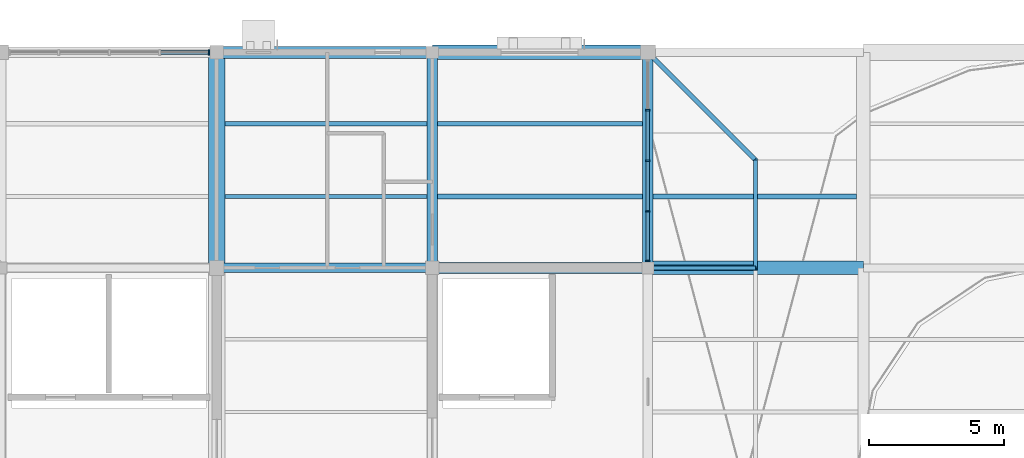
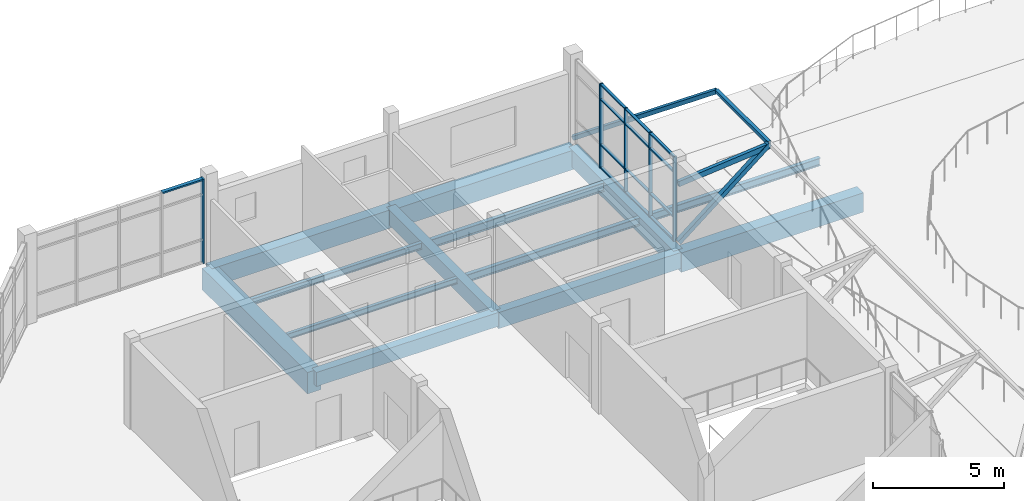
# One storey, part 17 of 44: 21 members, 14 beams, 2 elements without a shape of their own.
"""IFC4 building model written with IfcOpenShell, lengths in metres."""

from ifc_helpers import new_model, si_unit, direction, frame, origin, origin_2d, place, context, subcontext, project, spatial, rectangle, hollow_rectangle, i_section, extrude, material, material_profile, profile_set, type_object, element, aggregate, save


model = new_model("IFC4")

# Units and contexts
model_context = context("Model", 3, precision=1e-05, world=origin(), true_north=direction((0.0, 1.0)))
body_context = subcontext(model_context, "Body", "Model", "MODEL_VIEW")
ifc_project = project(units=[si_unit("LENGTHUNIT", "METRE"), si_unit("AREAUNIT", "SQUARE_METRE"), si_unit("VOLUMEUNIT", "CUBIC_METRE"), si_unit("PLANEANGLEUNIT", "RADIAN"), si_unit("MASSUNIT", "GRAM", prefix="KILO")], contexts=[model_context])

# Site, building, storey
site_placement = place(None, origin())
site = spatial("IfcSite", under=ifc_project, at=site_placement, CompositionType="ELEMENT")
building_placement = place(site_placement, origin())
building = spatial("IfcBuilding", under=site, at=building_placement, Name="Tenunan Teduh Sports Hall", CompositionType="ELEMENT")
storey_placement = place(building_placement, frame((0.0, 0.0, 19.199951171875)))
storey = spatial("IfcBuildingStorey", under=building, at=storey_placement, Name="L04", CompositionType="ELEMENT", Elevation=19.199951171875)

# Beams
ifc_material_1 = material(Name="Concrete C40/50", Category="concrete")
ifc_material_profile_1 = material_profile(ifc_material_1, rectangle(XDim=0.35009765625, YDim=0.64990234375, at=origin_2d()), Name="RCB 350x650")
ifc_profile_set_1 = profile_set([ifc_material_profile_1], Name="Concrete C40/50")
beam_type_1 = type_object("IfcBeamType", Name="BM-RC-350x650", PredefinedType="BEAM", material=ifc_profile_set_1)
beam_1_placement = place(storey_placement, frame((22.0, 110.0, -0.594970703125), z_axis=(1.0, 0.0, 0.0), x_axis=(0.0, 1.0, 0.0)))
element("IfcBeam", 1, at=beam_1_placement, inside=storey, type_object=beam_type_1, Name="BM-B-05-L04-2052", PredefinedType="BEAM", context=body_context, shape_type="SweptSolid", body=[
    extrude(rectangle(XDim=0.35009765625, YDim=0.64990234375, at=origin_2d()), origin(), (0.0, 0.0, 1.0), 8.0),
])
ifc_material_2 = material(Name="Concrete C40/50", Category="concrete")
ifc_material_profile_2 = material_profile(ifc_material_2, rectangle(XDim=0.39990234375, YDim=0.699951171875, at=origin_2d()), Name="RCB 400x700")
ifc_profile_set_2 = profile_set([ifc_material_profile_2], Name="Concrete C40/50")
beam_type_2 = type_object("IfcBeamType", Name="BM-RC-400x700", PredefinedType="BEAM", material=ifc_profile_set_2)
beam_2_placement = place(storey_placement, frame((30.0, 110.0, -0.619873046875), z_axis=(0.0, 1.0, 0.0), x_axis=(-1.0, 0.0, 0.0)))
element("IfcBeam", 2, at=beam_2_placement, inside=storey, type_object=beam_type_2, Name="BM-B-08-L04-2086", PredefinedType="BEAM", context=body_context, shape_type="SweptSolid", body=[
    extrude(rectangle(XDim=0.39990234375, YDim=0.699951171875, at=origin_2d()), origin(), (0.0, 0.0, 1.0), 8.0),
])
ifc_material_3 = material(Name="Concrete C40/50", Category="concrete")
ifc_material_profile_3 = material_profile(ifc_material_3, rectangle(XDim=0.39990234375, YDim=0.75, at=origin_2d()), Name="RCB 400x750")
ifc_profile_set_3 = profile_set([ifc_material_profile_3], Name="Concrete C40/50")
beam_type_3 = type_object("IfcBeamType", Name="BM-RC-400x750", PredefinedType="BEAM", material=ifc_profile_set_3)
beam_3_placement = place(storey_placement, frame((30.0, 110.0, -0.64501953125), z_axis=(1.0, 0.0, 0.0), x_axis=(0.0, 1.0, 0.0)))
element("IfcBeam", 3, at=beam_3_placement, inside=storey, type_object=beam_type_3, Name="BM-B-09-L04-2053", PredefinedType="BEAM", context=body_context, shape_type="SweptSolid", body=[
    extrude(rectangle(XDim=0.39990234375, YDim=0.75, at=origin_2d()), origin(), (0.0, 0.0, 1.0), 8.0),
])
ifc_material_4 = material(Name="Concrete C40/50", Category="concrete")
ifc_material_profile_4 = material_profile(ifc_material_4, rectangle(XDim=0.449951171875, YDim=0.85009765625, at=origin_2d()), Name="RCB 450x850")
ifc_profile_set_4 = profile_set([ifc_material_profile_4], Name="Concrete C40/50")
beam_type_4 = type_object("IfcBeamType", Name="BM-RC-450x850", PredefinedType="BEAM", material=ifc_profile_set_4)
beam_4_placement = place(storey_placement, frame((22.0, 118.0, -0.695068359375), z_axis=(1.0, 0.0, 0.0), x_axis=(0.0, 1.0, 0.0)))
element("IfcBeam", 4, at=beam_4_placement, inside=storey, type_object=beam_type_4, Name="BM-B-13-L04-2059", PredefinedType="BEAM", context=body_context, shape_type="SweptSolid", body=[
    extrude(rectangle(XDim=0.449951171875, YDim=0.85009765625, at=origin_2d()), origin(), (0.0, 0.0, 1.0), 8.0),
])
ifc_material_5 = material(Name="Concrete C40/50", Category="concrete")
ifc_material_profile_5 = material_profile(ifc_material_5, rectangle(XDim=0.5, YDim=0.89990234375, at=origin_2d()), Name="RCB 500x900")
ifc_profile_set_5 = profile_set([ifc_material_profile_5], Name="Concrete C40/50")
beam_type_5 = type_object("IfcBeamType", Name="BM-RC-500x900", PredefinedType="BEAM", material=ifc_profile_set_5)
beam_5_placement = place(storey_placement, frame((38.0, 110.0, -0.719970703125), z_axis=(1.0, 0.0, 0.0), x_axis=(0.0, 1.0, 0.0)))
element("IfcBeam", 5, at=beam_5_placement, inside=storey, type_object=beam_type_5, Name="BM-B-15-L04-2054", PredefinedType="BEAM", context=body_context, shape_type="SweptSolid", body=[
    extrude(rectangle(XDim=0.5, YDim=0.89990234375, at=origin_2d()), origin(), (0.0, 0.0, 1.0), 8.0),
])
ifc_material_6 = material(Name="Concrete C40/50", Category="concrete")
ifc_material_profile_6 = material_profile(ifc_material_6, rectangle(XDim=0.550048828125, YDim=0.89990234375, at=origin_2d()), Name="RCB 550x900")
ifc_profile_set_6 = profile_set([ifc_material_profile_6], Name="Concrete C40/50")
beam_type_6 = type_object("IfcBeamType", Name="BM-RC-550x900", PredefinedType="BEAM", material=ifc_profile_set_6)
beam_6_placement = place(storey_placement, frame((30.0, 118.0, -0.719970703125), z_axis=(1.0, 0.0, 0.0), x_axis=(0.0, 1.0, 0.0)))
element("IfcBeam", 6, at=beam_6_placement, inside=storey, type_object=beam_type_6, Name="BM-B-16-L04-2060", PredefinedType="BEAM", context=body_context, shape_type="SweptSolid", body=[
    extrude(rectangle(XDim=0.550048828125, YDim=0.89990234375, at=origin_2d()), origin(), (0.0, 0.0, 1.0), 8.0),
])
ifc_material_7 = material(Name="Concrete C40/50", Category="concrete")
ifc_material_profile_7 = material_profile(ifc_material_7, rectangle(XDim=0.60009765625, YDim=1.0, at=origin_2d()), Name="RCB 600x1000")
ifc_profile_set_7 = profile_set([ifc_material_profile_7], Name="Concrete C40/50")
beam_type_7 = type_object("IfcBeamType", Name="BM-RC-600x1000", PredefinedType="BEAM", material=ifc_profile_set_7)
beam_7_placement = place(storey_placement, frame((22.0, 110.0, -0.77001953125), z_axis=(0.0, 1.0, 0.0), x_axis=(-1.0, 0.0, 0.0)))
element("IfcBeam", 7, at=beam_7_placement, inside=storey, type_object=beam_type_7, Name="BM-B-18-L04-2081", PredefinedType="BEAM", context=body_context, shape_type="SweptSolid", body=[
    extrude(rectangle(XDim=0.60009765625, YDim=1.0, at=origin_2d()), origin(), (0.0, 0.0, 1.0), 8.0),
])
ifc_material_8 = material(Name="Concrete C40/50", Category="concrete")
ifc_material_profile_8 = material_profile(ifc_material_8, rectangle(XDim=0.39990234375, YDim=0.780029296875, at=origin_2d()), Name="TB 400x780")
ifc_profile_set_8 = profile_set([ifc_material_profile_8], Name="Concrete C40/50")
beam_type_8 = type_object("IfcBeamType", Name="BM-TB-400x780", PredefinedType="T_BEAM", material=ifc_profile_set_8)
beam_8_placement = place(storey_placement, frame((38.0, 110.0, -0.659912109375), z_axis=(0.0, 1.0, 0.0), x_axis=(-1.0, 0.0, 0.0)))
element("IfcBeam", 8, at=beam_8_placement, inside=storey, type_object=beam_type_8, Name="BM-TB-02-L04-2091", PredefinedType="T_BEAM", context=body_context, shape_type="SweptSolid", body=[
    extrude(rectangle(XDim=0.39990234375, YDim=0.780029296875, at=origin_2d()), origin(), (0.0, 0.0, 1.0), 8.0),
])

# Curtain wall, members
ifc_material_9 = material(Name="Anodised aluminium", Category="aluminium")
curtain_wall_type = type_object("IfcCurtainWallType", Name="CW-UNIT-2", PredefinedType="NOTDEFINED", material=ifc_material_9)
curtain_wall_1_placement = place(storey_placement, origin())
curtain_wall_1 = element("IfcCurtainWall", 9, at=curtain_wall_1_placement, inside=storey, type_object=curtain_wall_type, Name="CW-CWM-150-L04-231", PredefinedType="NOTDEFINED")
ifc_material_10 = material(Name="Anodised aluminium", Category="aluminium")
ifc_material_profile_9 = material_profile(ifc_material_10, rectangle(XDim=0.06005859375, YDim=0.14990234375, at=origin_2d()), Name="CWM 60x150")
ifc_profile_set_9 = profile_set([ifc_material_profile_9], Name="Anodised aluminium")
member_type_1 = type_object("IfcMemberType", Name="CWM-150", PredefinedType="MULLION", material=ifc_profile_set_9)
member_1_placement = place(storey_placement, frame((38.0, 110.2548828125, 0.0), z_axis=(0.0, 0.0, 1.0), x_axis=(0.0, 1.0, 0.0)))
member_1 = element("IfcMember", 10, at=member_1_placement, type_object=member_type_1, Name="CW-02 mullion 1", PredefinedType="MULLION", context=body_context, shape_type="SweptSolid", body=[
    extrude(rectangle(XDim=0.06005859375, YDim=0.14990234375, at=origin_2d()), origin(), (0.0, 0.0, 1.0), 3.920166015625),
])
member_2_placement = place(storey_placement, frame((38.0, 112.10009765625, 0.0), z_axis=(0.0, 0.0, 1.0), x_axis=(0.0, 1.0, 0.0)))
member_2 = element("IfcMember", 11, at=member_2_placement, type_object=member_type_1, Name="CW-02 mullion 2", PredefinedType="MULLION", context=body_context, shape_type="SweptSolid", body=[
    extrude(rectangle(XDim=0.06005859375, YDim=0.14990234375, at=origin_2d()), origin(), (0.0, 0.0, 1.0), 3.920166015625),
])
member_3_placement = place(storey_placement, frame((38.0, 113.97509765625, 0.0), z_axis=(0.0, 0.0, 1.0), x_axis=(0.0, 1.0, 0.0)))
member_3 = element("IfcMember", 12, at=member_3_placement, type_object=member_type_1, Name="CW-02 mullion 3", PredefinedType="MULLION", context=body_context, shape_type="SweptSolid", body=[
    extrude(rectangle(XDim=0.06005859375, YDim=0.14990234375, at=origin_2d()), origin(), (0.0, 0.0, 1.0), 3.920166015625),
])
member_4_placement = place(storey_placement, frame((38.0, 115.85009765625, 0.0), z_axis=(0.0, 0.0, 1.0), x_axis=(0.0, 1.0, 0.0)))
member_4 = element("IfcMember", 13, at=member_4_placement, type_object=member_type_1, Name="CW-02 mullion 4", PredefinedType="MULLION", context=body_context, shape_type="SweptSolid", body=[
    extrude(rectangle(XDim=0.06005859375, YDim=0.14990234375, at=origin_2d()), origin(), (0.0, 0.0, 1.0), 3.920166015625),
])

# Curtain wall, member
curtain_wall_2_placement = place(storey_placement, origin())
curtain_wall_2 = element("IfcCurtainWall", 14, at=curtain_wall_2_placement, inside=storey, type_object=curtain_wall_type, Name="CW-CWM-200-L04-232", PredefinedType="NOTDEFINED")
ifc_material_11 = material(Name="Anodised aluminium", Category="aluminium")
ifc_material_profile_10 = material_profile(ifc_material_11, rectangle(XDim=0.070068359375, YDim=0.199951171875, at=origin_2d()), Name="CWM 70x200")
ifc_profile_set_10 = profile_set([ifc_material_profile_10], Name="Anodised aluminium")
member_type_2 = type_object("IfcMemberType", Name="CWM-200", PredefinedType="MULLION", material=ifc_profile_set_10)
member_5_placement = place(storey_placement, frame((21.715087890625, 118.0, 0.0), z_axis=(0.0, 0.0, 1.0), x_axis=(1.0, 0.0, 0.0)))
member_5 = element("IfcMember", 15, at=member_5_placement, type_object=member_type_2, Name="CW-02 mullion 5", PredefinedType="MULLION", context=body_context, shape_type="SweptSolid", body=[
    extrude(rectangle(XDim=0.070068359375, YDim=0.199951171875, at=origin_2d()), origin(), (0.0, 0.0, 1.0), 3.920166015625),
])

# Member
ifc_material_12 = material(Name="Anodised aluminium", Category="aluminium")
ifc_material_profile_11 = material_profile(ifc_material_12, rectangle(XDim=0.06005859375, YDim=0.1201171875, at=origin_2d()), Name="CWT 60x120")
ifc_profile_set_11 = profile_set([ifc_material_profile_11], Name="Anodised aluminium")
member_type_3 = type_object("IfcMemberType", Name="CWT-125", PredefinedType="USERDEFINED", material=ifc_profile_set_11)
member_6_placement = place(storey_placement, frame((38.0, 110.284912109375, 0.030029296875), z_axis=(0.0, 1.0, 0.0), x_axis=(0.0, 0.0, 1.0)))
member_6 = element("IfcMember", 16, at=member_6_placement, type_object=member_type_3, Name="CW-02 transom 1.1", ObjectType="TRANSOM", PredefinedType="USERDEFINED", context=body_context, shape_type="SweptSolid", body=[
    extrude(rectangle(XDim=0.06005859375, YDim=0.1201171875, at=origin_2d()), origin(), (0.0, 0.0, 1.0), 1.78515625),
])

member_7_placement = place(storey_placement, frame((38.0, 110.284912109375, 1.10009765625), z_axis=(0.0, 1.0, 0.0), x_axis=(0.0, 0.0, 1.0)))
member_7 = element("IfcMember", 17, at=member_7_placement, type_object=member_type_3, Name="CW-02 transom 1.2", ObjectType="TRANSOM", PredefinedType="USERDEFINED", context=body_context, shape_type="SweptSolid", body=[
    extrude(rectangle(XDim=0.06005859375, YDim=0.1201171875, at=origin_2d()), origin(), (0.0, 0.0, 1.0), 1.78515625),
])

member_8_placement = place(storey_placement, frame((38.0, 110.284912109375, 3.199951171875), z_axis=(0.0, 1.0, 0.0), x_axis=(0.0, 0.0, 1.0)))
member_8 = element("IfcMember", 18, at=member_8_placement, type_object=member_type_3, Name="CW-02 transom 1.3", ObjectType="TRANSOM", PredefinedType="USERDEFINED", context=body_context, shape_type="SweptSolid", body=[
    extrude(rectangle(XDim=0.06005859375, YDim=0.1201171875, at=origin_2d()), origin(), (0.0, 0.0, 1.0), 1.78515625),
])

member_9_placement = place(storey_placement, frame((38.0, 110.284912109375, 3.89013671875), z_axis=(0.0, 1.0, 0.0), x_axis=(0.0, 0.0, 1.0)))
member_9 = element("IfcMember", 19, at=member_9_placement, type_object=member_type_3, Name="CW-02 transom 1.4", ObjectType="TRANSOM", PredefinedType="USERDEFINED", context=body_context, shape_type="SweptSolid", body=[
    extrude(rectangle(XDim=0.06005859375, YDim=0.1201171875, at=origin_2d()), origin(), (0.0, 0.0, 1.0), 1.78515625),
])

member_10_placement = place(storey_placement, frame((38.0, 112.1298828125, 0.030029296875), z_axis=(0.0, 1.0, 0.0), x_axis=(0.0, 0.0, 1.0)))
member_10 = element("IfcMember", 20, at=member_10_placement, type_object=member_type_3, Name="CW-02 transom 2.1", ObjectType="TRANSOM", PredefinedType="USERDEFINED", context=body_context, shape_type="SweptSolid", body=[
    extrude(rectangle(XDim=0.06005859375, YDim=0.1201171875, at=origin_2d()), origin(), (0.0, 0.0, 1.0), 1.815185546875),
])

member_11_placement = place(storey_placement, frame((38.0, 112.1298828125, 1.10009765625), z_axis=(0.0, 1.0, 0.0), x_axis=(0.0, 0.0, 1.0)))
member_11 = element("IfcMember", 21, at=member_11_placement, type_object=member_type_3, Name="CW-02 transom 2.2", ObjectType="TRANSOM", PredefinedType="USERDEFINED", context=body_context, shape_type="SweptSolid", body=[
    extrude(rectangle(XDim=0.06005859375, YDim=0.1201171875, at=origin_2d()), origin(), (0.0, 0.0, 1.0), 1.815185546875),
])

member_12_placement = place(storey_placement, frame((38.0, 112.1298828125, 3.199951171875), z_axis=(0.0, 1.0, 0.0), x_axis=(0.0, 0.0, 1.0)))
member_12 = element("IfcMember", 22, at=member_12_placement, type_object=member_type_3, Name="CW-02 transom 2.3", ObjectType="TRANSOM", PredefinedType="USERDEFINED", context=body_context, shape_type="SweptSolid", body=[
    extrude(rectangle(XDim=0.06005859375, YDim=0.1201171875, at=origin_2d()), origin(), (0.0, 0.0, 1.0), 1.815185546875),
])

member_13_placement = place(storey_placement, frame((38.0, 112.1298828125, 3.89013671875), z_axis=(0.0, 1.0, 0.0), x_axis=(0.0, 0.0, 1.0)))
member_13 = element("IfcMember", 23, at=member_13_placement, type_object=member_type_3, Name="CW-02 transom 2.4", ObjectType="TRANSOM", PredefinedType="USERDEFINED", context=body_context, shape_type="SweptSolid", body=[
    extrude(rectangle(XDim=0.06005859375, YDim=0.1201171875, at=origin_2d()), origin(), (0.0, 0.0, 1.0), 1.815185546875),
])

member_14_placement = place(storey_placement, frame((38.0, 114.0048828125, 0.030029296875), z_axis=(0.0, 1.0, 0.0), x_axis=(0.0, 0.0, 1.0)))
member_14 = element("IfcMember", 24, at=member_14_placement, type_object=member_type_3, Name="CW-02 transom 3.1", ObjectType="TRANSOM", PredefinedType="USERDEFINED", context=body_context, shape_type="SweptSolid", body=[
    extrude(rectangle(XDim=0.06005859375, YDim=0.1201171875, at=origin_2d()), origin(), (0.0, 0.0, 1.0), 1.815185546875),
])

member_15_placement = place(storey_placement, frame((38.0, 114.0048828125, 1.10009765625), z_axis=(0.0, 1.0, 0.0), x_axis=(0.0, 0.0, 1.0)))
member_15 = element("IfcMember", 25, at=member_15_placement, type_object=member_type_3, Name="CW-02 transom 3.2", ObjectType="TRANSOM", PredefinedType="USERDEFINED", context=body_context, shape_type="SweptSolid", body=[
    extrude(rectangle(XDim=0.06005859375, YDim=0.1201171875, at=origin_2d()), origin(), (0.0, 0.0, 1.0), 1.815185546875),
])

member_16_placement = place(storey_placement, frame((38.0, 114.0048828125, 3.199951171875), z_axis=(0.0, 1.0, 0.0), x_axis=(0.0, 0.0, 1.0)))
member_16 = element("IfcMember", 26, at=member_16_placement, type_object=member_type_3, Name="CW-02 transom 3.3", ObjectType="TRANSOM", PredefinedType="USERDEFINED", context=body_context, shape_type="SweptSolid", body=[
    extrude(rectangle(XDim=0.06005859375, YDim=0.1201171875, at=origin_2d()), origin(), (0.0, 0.0, 1.0), 1.815185546875),
])

member_17_placement = place(storey_placement, frame((38.0, 114.0048828125, 3.89013671875), z_axis=(0.0, 1.0, 0.0), x_axis=(0.0, 0.0, 1.0)))
member_17 = element("IfcMember", 27, at=member_17_placement, type_object=member_type_3, Name="CW-02 transom 3.4", ObjectType="TRANSOM", PredefinedType="USERDEFINED", context=body_context, shape_type="SweptSolid", body=[
    extrude(rectangle(XDim=0.06005859375, YDim=0.1201171875, at=origin_2d()), origin(), (0.0, 0.0, 1.0), 1.815185546875),
])

aggregate(curtain_wall_1, [member_1, member_2, member_3, member_4, member_6, member_7, member_8, member_9, member_10, member_11, member_12, member_13, member_14, member_15, member_16, member_17])

ifc_material_13 = material(Name="Anodised aluminium", Category="aluminium")
ifc_material_profile_12 = material_profile(ifc_material_13, rectangle(XDim=0.070068359375, YDim=0.159912109375, at=origin_2d()), Name="CWT 70x160")
ifc_profile_set_12 = profile_set([ifc_material_profile_12], Name="Anodised aluminium")
member_type_4 = type_object("IfcMemberType", Name="CWT-200", PredefinedType="USERDEFINED", material=ifc_profile_set_12)
member_18_placement = place(storey_placement, frame((19.916259765625, 118.0, 3.885009765625), z_axis=(1.0, 0.0, 0.0), x_axis=(0.0, 0.0, 1.0)))
member_18 = element("IfcMember", 28, at=member_18_placement, type_object=member_type_4, Name="CW-02 transom 4.4", ObjectType="TRANSOM", PredefinedType="USERDEFINED", context=body_context, shape_type="SweptSolid", body=[
    extrude(rectangle(XDim=0.070068359375, YDim=0.159912109375, at=origin_2d()), origin(), (0.0, 0.0, 1.0), 1.763671875),
])

aggregate(curtain_wall_2, [member_5, member_18])

# Beams
ifc_material_14 = material(Name="Steel S355", Category="steel")
ifc_material_profile_13 = material_profile(ifc_material_14, i_section(OverallWidth=0.135009765625, OverallDepth=0.27001953125, WebThickness=0.006591796875, FlangeThickness=0.01025390625, FilletRadius=0.014892578125, at=origin_2d()), Name="IPE 270")
ifc_profile_set_13 = profile_set([ifc_material_profile_13], Name="Steel S355")
beam_type_9 = type_object("IfcBeamType", Name="JST-IPE270", PredefinedType="JOIST", material=ifc_profile_set_13)
beam_9_placement = place(storey_placement, frame((22.300048828125, 112.64990234375, -0.405029296875), z_axis=(1.0, 0.0, 0.0), x_axis=(0.0, 1.0, 0.0)))
element("IfcBeam", 29, at=beam_9_placement, inside=storey, type_object=beam_type_9, Name="BM-J-03-L04-2132", PredefinedType="JOIST", context=body_context, shape_type="SweptSolid", body=[
    extrude(i_section(OverallWidth=0.135009765625, OverallDepth=0.27001953125, WebThickness=0.006591796875, FlangeThickness=0.01025390625, FilletRadius=0.014892578125, at=origin_2d()), origin(), (0.0, 0.0, 1.0), 7.5),
])
ifc_material_15 = material(Name="Steel S355", Category="steel")
ifc_material_profile_14 = material_profile(ifc_material_15, i_section(OverallWidth=0.14990234375, OverallDepth=0.300048828125, WebThickness=0.007080078125, FlangeThickness=0.0107421875, FilletRadius=0.014892578125, at=origin_2d()), Name="IPE 300")
ifc_profile_set_14 = profile_set([ifc_material_profile_14], Name="Steel S355")
beam_type_10 = type_object("IfcBeamType", Name="JST-IPE300", PredefinedType="JOIST", material=ifc_profile_set_14)
beam_10_placement = place(storey_placement, frame((22.300048828125, 115.35009765625, -0.419921875), z_axis=(1.0, 0.0, 0.0), x_axis=(0.0, 1.0, 0.0)))
element("IfcBeam", 30, at=beam_10_placement, inside=storey, type_object=beam_type_10, Name="BM-J-04-L04-2133", PredefinedType="JOIST", context=body_context, shape_type="SweptSolid", body=[
    extrude(i_section(OverallWidth=0.14990234375, OverallDepth=0.300048828125, WebThickness=0.007080078125, FlangeThickness=0.0107421875, FilletRadius=0.014892578125, at=origin_2d()), origin(), (0.0, 0.0, 1.0), 7.5),
])
ifc_material_16 = material(Name="Steel S355", Category="steel")
ifc_material_profile_15 = material_profile(ifc_material_16, i_section(OverallWidth=0.169921875, OverallDepth=0.360107421875, WebThickness=0.008056640625, FlangeThickness=0.0126953125, FilletRadius=0.01806640625, at=origin_2d()), Name="IPE 360")
ifc_profile_set_15 = profile_set([ifc_material_profile_15], Name="Steel S355")
beam_type_11 = type_object("IfcBeamType", Name="JST-IPE360", PredefinedType="JOIST", material=ifc_profile_set_15)
beam_11_placement = place(storey_placement, frame((38.199951171875, 112.64990234375, -0.449951171875), z_axis=(1.0, 0.0, 0.0), x_axis=(0.0, 1.0, 0.0)))
element("IfcBeam", 31, at=beam_11_placement, inside=storey, type_object=beam_type_11, Name="BM-J-05-L04-2145", PredefinedType="JOIST", context=body_context, shape_type="SweptSolid", body=[
    extrude(i_section(OverallWidth=0.169921875, OverallDepth=0.360107421875, WebThickness=0.008056640625, FlangeThickness=0.0126953125, FilletRadius=0.01806640625, at=origin_2d()), origin(), (0.0, 0.0, 1.0), 7.550048828125),
])

# Members
ifc_material_17 = material(Name="Steel S355", Category="steel")
ifc_material_profile_16 = material_profile(ifc_material_17, hollow_rectangle(XDim=0.14990234375, YDim=0.14990234375, WallThickness=0.008056640625, at=origin_2d()), Name="SHS 150x150x8.0")
ifc_profile_set_16 = profile_set([ifc_material_profile_16], Name="Steel S355")
member_type_5 = type_object("IfcMemberType", Name="MEM-PR-SHS150", PredefinedType="PURLIN", material=ifc_profile_set_16)
member_19_placement = place(storey_placement, frame((42.0, 110.0, 3.300048828125), z_axis=(0.0, 1.0, 0.0), x_axis=(-1.0, 0.0, 0.0)))
element("IfcMember", 32, at=member_19_placement, inside=storey, type_object=member_type_5, Name="MEM-PR-01-L04-1041", PredefinedType="PURLIN", context=body_context, shape_type="SweptSolid", body=[
    extrude(hollow_rectangle(XDim=0.14990234375, YDim=0.14990234375, WallThickness=0.008056640625, at=origin_2d()), origin(), (0.0, 0.0, 1.0), 4.0),
])
ifc_material_18 = material(Name="Steel S355", Category="steel")
ifc_material_profile_17 = material_profile(ifc_material_18, hollow_rectangle(XDim=0.179931640625, YDim=0.179931640625, WallThickness=0.010009765625, at=origin_2d()), Name="SHS 180x180x10.0")
ifc_profile_set_17 = profile_set([ifc_material_profile_17], Name="Steel S355")
member_type_6 = type_object("IfcMemberType", Name="MEM-ST-SHS180", PredefinedType="STRUT", material=ifc_profile_set_17)
member_20_placement = place(storey_placement, frame((38.0, 118.0, 0.10009765625), z_axis=(0.615459731531, -0.615459731531, 0.492360272288), x_axis=(0.707106781187, 0.707106781187, 0.0)))
element("IfcMember", 33, at=member_20_placement, inside=storey, type_object=member_type_6, Name="MEM-VS-03-L04-1043", PredefinedType="STRUT", context=body_context, shape_type="SweptSolid", body=[
    extrude(hollow_rectangle(XDim=0.179931640625, YDim=0.179931640625, WallThickness=0.010009765625, at=origin_2d()), origin(), (0.0, 0.0, 1.0), 6.499267578125),
])
ifc_material_19 = material(Name="Steel S355", Category="steel")
ifc_material_profile_18 = material_profile(ifc_material_19, hollow_rectangle(XDim=0.199951171875, YDim=0.199951171875, WallThickness=0.010009765625, at=origin_2d()), Name="SHS 200x200x10.0")
ifc_profile_set_18 = profile_set([ifc_material_profile_18], Name="Steel S355")
member_type_7 = type_object("IfcMemberType", Name="MEM-ST-SHS200", PredefinedType="STRUT", material=ifc_profile_set_18)
member_21_placement = place(storey_placement, frame((38.0, 110.0, 0.10009765625), z_axis=(0.780873459249, 0.0, 0.624689235253), x_axis=(0.0, 1.0, 0.0)))
element("IfcMember", 34, at=member_21_placement, inside=storey, type_object=member_type_7, Name="MEM-VS-02-L04-1037", PredefinedType="STRUT", context=body_context, shape_type="SweptSolid", body=[
    extrude(hollow_rectangle(XDim=0.199951171875, YDim=0.199951171875, WallThickness=0.010009765625, at=origin_2d()), origin(), (0.0, 0.0, 1.0), 5.12255859375),
])

# Beams
ifc_material_20 = material(Name="Steel S355", Category="steel")
ifc_material_profile_19 = material_profile(ifc_material_20, hollow_rectangle(XDim=0.14990234375, YDim=0.25, WallThickness=0.010009765625, at=origin_2d()), Name="RHS 250x150x10.0")
ifc_profile_set_19 = profile_set([ifc_material_profile_19], Name="Steel S355")
beam_type_12 = type_object("IfcBeamType", Name="RBM-RHS250", PredefinedType="BEAM", material=ifc_profile_set_19)
beam_12_placement = place(storey_placement, frame((38.0, 110.0, 2.820068359375), z_axis=(0.995520561602, 0.0, 0.094545287711), x_axis=(0.0, 1.0, 0.0)))
element("IfcBeam", 35, at=beam_12_placement, inside=storey, type_object=beam_type_12, Name="Perimeter Ring Beam BM-RB-04-L04-0586", PredefinedType="BEAM", context=body_context, shape_type="SweptSolid", body=[
    extrude(hollow_rectangle(XDim=0.14990234375, YDim=0.25, WallThickness=0.010009765625, at=origin_2d()), origin(), (0.0, 0.0, 1.0), 4.01806640625),
])
ifc_material_21 = material(Name="Steel S355", Category="steel")
ifc_material_profile_20 = material_profile(ifc_material_21, i_section(OverallWidth=0.17138671875, OverallDepth=0.35498046875, WebThickness=0.00732421875, FlangeThickness=0.011474609375, FilletRadius=0.01025390625, at=origin_2d()), Name="UKB 356x171x51")
ifc_profile_set_20 = profile_set([ifc_material_profile_20], Name="Steel S355")
beam_type_13 = type_object("IfcBeamType", Name="SBM-UKB356", PredefinedType="BEAM", material=ifc_profile_set_20)
beam_13_placement = place(storey_placement, frame((30.199951171875, 112.64990234375, -0.447509765625), z_axis=(1.0, 0.0, 0.0), x_axis=(0.0, 1.0, 0.0)))
element("IfcBeam", 36, at=beam_13_placement, inside=storey, type_object=beam_type_13, Name="BM-SB-02-L04-2138", PredefinedType="BEAM", context=body_context, shape_type="SweptSolid", body=[
    extrude(i_section(OverallWidth=0.17138671875, OverallDepth=0.35498046875, WebThickness=0.00732421875, FlangeThickness=0.011474609375, FilletRadius=0.01025390625, at=origin_2d()), origin(), (0.0, 0.0, 1.0), 7.60009765625),
])
ifc_material_22 = material(Name="Steel S355", Category="steel")
ifc_material_profile_21 = material_profile(ifc_material_22, i_section(OverallWidth=0.177978515625, OverallDepth=0.406494140625, WebThickness=0.0078125, FlangeThickness=0.0126953125, FilletRadius=0.01025390625, at=origin_2d()), Name="UKB 406x178x60")
ifc_profile_set_21 = profile_set([ifc_material_profile_21], Name="Steel S355")
beam_type_14 = type_object("IfcBeamType", Name="SBM-UKB406", PredefinedType="BEAM", material=ifc_profile_set_21)
beam_14_placement = place(storey_placement, frame((30.199951171875, 115.35009765625, -0.47314453125), z_axis=(1.0, 0.0, 0.0), x_axis=(0.0, 1.0, 0.0)))
element("IfcBeam", 37, at=beam_14_placement, inside=storey, type_object=beam_type_14, Name="BM-SB-03-L04-2139", PredefinedType="BEAM", context=body_context, shape_type="SweptSolid", body=[
    extrude(i_section(OverallWidth=0.177978515625, OverallDepth=0.406494140625, WebThickness=0.0078125, FlangeThickness=0.0126953125, FilletRadius=0.01025390625, at=origin_2d()), origin(), (0.0, 0.0, 1.0), 7.60009765625),
])

save(model, "model.ifc")
